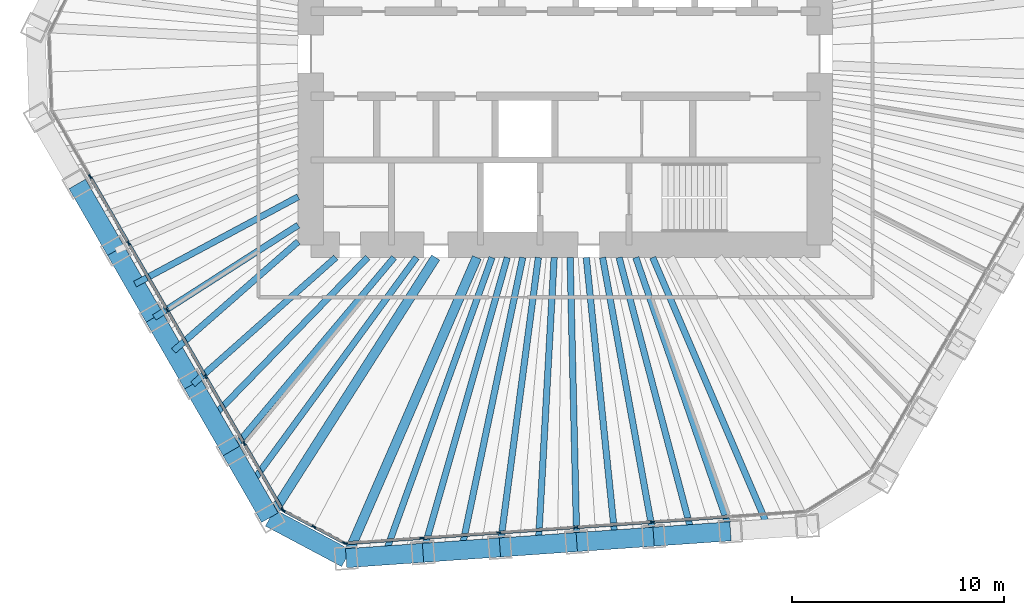
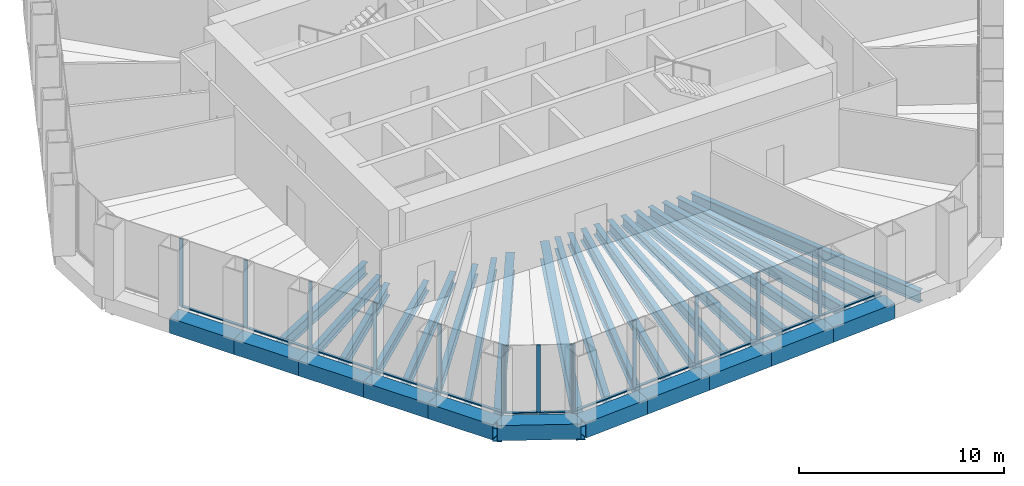
# One storey, part 2 of 13: 31 beams, 26 members, 3 elements without a shape of their own.
"""IFC4 building model written with IfcOpenShell, lengths in metres."""

from ifc_helpers import new_model, si_unit, direction, frame, origin, origin_2d, place, context, subcontext, project, spatial, rectangle, hollow_rectangle, i_section, extrude, material, material_profile, profile_set, type_object, element, aggregate, save


model = new_model("IFC4")

# Units and contexts
model_context = context("Model", 3, precision=1e-05, world=origin(), true_north=direction((0.0, 1.0)))
body_context = subcontext(model_context, "Body", "Model", "MODEL_VIEW")
ifc_project = project(units=[si_unit("LENGTHUNIT", "METRE"), si_unit("AREAUNIT", "SQUARE_METRE"), si_unit("VOLUMEUNIT", "CUBIC_METRE"), si_unit("PLANEANGLEUNIT", "RADIAN"), si_unit("MASSUNIT", "GRAM", prefix="KILO")], contexts=[model_context])

# Site, building, storey
site_placement = place(None, origin())
site = spatial("IfcSite", under=ifc_project, at=site_placement, CompositionType="ELEMENT")
building_placement = place(site_placement, origin())
building = spatial("IfcBuilding", under=site, at=building_placement, Name="Qingtian Harvest Tower", CompositionType="ELEMENT")
storey_placement = place(building_placement, frame((0.0, 0.0, 188.800048828125)))
storey = spatial("IfcBuildingStorey", under=building, at=storey_placement, Name="L40", CompositionType="ELEMENT", Elevation=188.800048828125)

# Beams
ifc_material_1 = material(Name="Steel SM570MC", Category="steel")
ifc_material_profile_1 = material_profile(ifc_material_1, i_section(OverallWidth=0.449951171875, OverallDepth=1.10009765625, WebThickness=0.02197265625, FlangeThickness=0.044921875, at=origin_2d()), Name="H1100x450x22x45")
ifc_profile_set_1 = profile_set([ifc_material_profile_1], Name="Steel SM570MC")
beam_type_1 = type_object("IfcBeamType", Name="Corner floor beam FB8 H1100x450x22x45", PredefinedType="BEAM", material=ifc_profile_set_1)
beam_1_placement = place(storey_placement, frame((-10.33837890625, -23.779052734375, -0.719970703125), z_axis=(0.398714563353, 0.917075077063, 0.0), x_axis=(-0.917075077063, 0.398714563353, 0.0)))
element("IfcBeam", 1, at=beam_1_placement, inside=storey, type_object=beam_type_1, Name="Floor beam FB8 S6", PredefinedType="BEAM", context=body_context, shape_type="SweptSolid", body=[
    extrude(i_section(OverallWidth=0.449951171875, OverallDepth=1.10009765625, WebThickness=0.02197265625, FlangeThickness=0.044921875, at=origin_2d()), origin(), (0.0, 0.0, 1.0), 15.461181640625),
])
beam_2_placement = place(storey_placement, frame((-13.9326171875, -21.8681640625, -0.719970703125), z_axis=(0.537326103898, 0.8433745657, 0.0), x_axis=(-0.8433745657, 0.537326103898, 0.0)))
element("IfcBeam", 2, at=beam_2_placement, inside=storey, type_object=beam_type_1, Name="Floor beam FB8 SW0", PredefinedType="BEAM", context=body_context, shape_type="SweptSolid", body=[
    extrude(i_section(OverallWidth=0.449951171875, OverallDepth=1.10009765625, WebThickness=0.02197265625, FlangeThickness=0.044921875, at=origin_2d()), origin(), (0.0, 0.0, 1.0), 14.54638671875),
])
ifc_material_2 = material(Name="Steel SN490B", Category="steel")
ifc_material_profile_2 = material_profile(ifc_material_2, i_section(OverallWidth=0.300048828125, OverallDepth=0.699951171875, WebThickness=0.012939453125, FlangeThickness=0.02392578125, at=origin_2d()), Name="H700x300x13x24")
ifc_profile_set_2 = profile_set([ifc_material_profile_2], Name="Steel SN490B")
beam_type_2 = type_object("IfcBeamType", Name="Floor beam FB2 H700x300x13x24", PredefinedType="BEAM", material=ifc_profile_set_2)
beam_3_placement = place(storey_placement, frame((-6.713623046875, -23.525634765625, -0.52001953125), z_axis=(0.274411610503, 0.961612327303, 0.0), x_axis=(-0.961612327303, 0.274411610503, 0.0)))
element("IfcBeam", 3, at=beam_3_placement, inside=storey, type_object=beam_type_2, Name="Floor beam FB2 S5", PredefinedType="BEAM", context=body_context, shape_type="SweptSolid", body=[
    extrude(i_section(OverallWidth=0.300048828125, OverallDepth=0.699951171875, WebThickness=0.012939453125, FlangeThickness=0.02392578125, at=origin_2d()), origin(), (0.0, 0.0, 1.0), 14.4814453125),
])
ifc_material_3 = material(Name="Steel SN490B", Category="steel")
ifc_material_profile_3 = material_profile(ifc_material_3, i_section(OverallWidth=0.300048828125, OverallDepth=0.60009765625, WebThickness=0.011962890625, FlangeThickness=0.02001953125, at=origin_2d()), Name="H600x300x12x20")
ifc_profile_set_3 = profile_set([ifc_material_profile_3], Name="Steel SN490B")
beam_type_3 = type_object("IfcBeamType", Name="Floor beam FB3 H600x300x12x20", PredefinedType="BEAM", material=ifc_profile_set_3)
beam_4_placement = place(storey_placement, frame((7.78515625, -22.51171875, -0.469970703125), z_axis=(-0.326844175409, 0.945078242793, 0.0), x_axis=(-0.945078242793, -0.326844175409, 0.0)))
element("IfcBeam", 4, at=beam_4_placement, inside=storey, type_object=beam_type_3, Name="Floor beam FB3 S1", PredefinedType="BEAM", context=body_context, shape_type="SweptSolid", body=[
    extrude(i_section(OverallWidth=0.300048828125, OverallDepth=0.60009765625, WebThickness=0.011962890625, FlangeThickness=0.02001953125, at=origin_2d()), origin(), (0.0, 0.0, 1.0), 13.661865234375),
])
beam_5_placement = place(storey_placement, frame((4.160400390625, -22.76513671875, -0.469970703125), z_axis=(-0.179779537209, 0.983706926885, 0.0), x_axis=(-0.983706926885, -0.179779537209, 0.0)))
element("IfcBeam", 5, at=beam_5_placement, inside=storey, type_object=beam_type_3, Name="Floor beam FB3 S2", PredefinedType="BEAM", context=body_context, shape_type="SweptSolid", body=[
    extrude(i_section(OverallWidth=0.300048828125, OverallDepth=0.60009765625, WebThickness=0.011962890625, FlangeThickness=0.02001953125, at=origin_2d()), origin(), (0.0, 0.0, 1.0), 13.383056640625),
])
beam_6_placement = place(storey_placement, frame((0.53564453125, -23.018798828125, -0.469970703125), z_axis=(-0.023263902078, 0.999729358807, 0.0), x_axis=(-0.999729358807, -0.023263902078, 0.0)))
element("IfcBeam", 6, at=beam_6_placement, inside=storey, type_object=beam_type_3, Name="Floor beam FB3 S3", PredefinedType="BEAM", context=body_context, shape_type="SweptSolid", body=[
    extrude(i_section(OverallWidth=0.300048828125, OverallDepth=0.60009765625, WebThickness=0.011962890625, FlangeThickness=0.02001953125, at=origin_2d()), origin(), (0.0, 0.0, 1.0), 13.42236328125),
])
beam_7_placement = place(storey_placement, frame((-3.089111328125, -23.272216796875, -0.469970703125), z_axis=(0.131593229442, 0.991303799027, 0.0), x_axis=(-0.991303799027, 0.131593229442, 0.0)))
element("IfcBeam", 7, at=beam_7_placement, inside=storey, type_object=beam_type_3, Name="Floor beam FB3 S4", PredefinedType="BEAM", context=body_context, shape_type="SweptSolid", body=[
    extrude(i_section(OverallWidth=0.300048828125, OverallDepth=0.60009765625, WebThickness=0.011962890625, FlangeThickness=0.02001953125, at=origin_2d()), origin(), (0.0, 0.0, 1.0), 13.7919921875),
])
beam_8_placement = place(storey_placement, frame((-15.749267578125, -18.72119140625, -0.469970703125), z_axis=(0.643763532906, 0.765224485821, 0.0), x_axis=(-0.765224485821, 0.643763532906, 0.0)))
element("IfcBeam", 8, at=beam_8_placement, inside=storey, type_object=beam_type_3, Name="Floor beam FB3 SW1", PredefinedType="BEAM", context=body_context, shape_type="SweptSolid", body=[
    extrude(i_section(OverallWidth=0.300048828125, OverallDepth=0.60009765625, WebThickness=0.011962890625, FlangeThickness=0.02001953125, at=origin_2d()), origin(), (0.0, 0.0, 1.0), 11.91943359375),
])
beam_9_placement = place(storey_placement, frame((-17.566162109375, -15.574462890625, -0.469970703125), z_axis=(0.748259768664, 0.663405847577, 0.0), x_axis=(-0.663405847577, 0.748259768664, 0.0)))
element("IfcBeam", 9, at=beam_9_placement, inside=storey, type_object=beam_type_3, Name="Floor beam FB3 SW2", PredefinedType="BEAM", context=body_context, shape_type="SweptSolid", body=[
    extrude(i_section(OverallWidth=0.300048828125, OverallDepth=0.60009765625, WebThickness=0.011962890625, FlangeThickness=0.02001953125, at=origin_2d()), origin(), (0.0, 0.0, 1.0), 9.005615234375),
])
beam_10_placement = place(storey_placement, frame((-19.3828125, -12.427734375, -0.469970703125), z_axis=(0.841823714388, 0.539752567288, 0.0), x_axis=(-0.539752567288, 0.841823714388, 0.0)))
element("IfcBeam", 10, at=beam_10_placement, inside=storey, type_object=beam_type_3, Name="Floor beam FB3 SW3", PredefinedType="BEAM", context=body_context, shape_type="SweptSolid", body=[
    extrude(i_section(OverallWidth=0.300048828125, OverallDepth=0.60009765625, WebThickness=0.011962890625, FlangeThickness=0.02001953125, at=origin_2d()), origin(), (0.0, 0.0, 1.0), 8.05712890625),
])
ifc_material_4 = material(Name="Steel SN490B", Category="steel")
ifc_material_profile_4 = material_profile(ifc_material_4, i_section(OverallWidth=0.300048828125, OverallDepth=0.699951171875, WebThickness=0.012939453125, FlangeThickness=0.02392578125, at=origin_2d()), Name="H700x300x13x24")
ifc_profile_set_4 = profile_set([ifc_material_profile_4], Name="Steel SN490B")
beam_type_4 = type_object("IfcBeamType", Name="Floor joist J2 H700x300x13x24", PredefinedType="JOIST", material=ifc_profile_set_4)
beam_11_placement = place(storey_placement, frame((9.597412109375, -22.385009765625, -0.52001953125), z_axis=(-0.394052741766, 0.919087828614, 0.0), x_axis=(-0.919087828614, -0.394052741766, 0.0)))
element("IfcBeam", 11, at=beam_11_placement, inside=storey, type_object=beam_type_4, Name="Floor joist J2 S0", PredefinedType="JOIST", context=body_context, shape_type="SweptSolid", body=[
    extrude(i_section(OverallWidth=0.300048828125, OverallDepth=0.699951171875, WebThickness=0.012939453125, FlangeThickness=0.02392578125, at=origin_2d()), origin(), (0.0, 0.0, 1.0), 13.910400390625),
])
beam_12_placement = place(storey_placement, frame((5.97265625, -22.638427734375, -0.52001953125), z_axis=(-0.255103716232, 0.9669136952, 0.0), x_axis=(-0.9669136952, -0.255103716232, 0.0)))
element("IfcBeam", 12, at=beam_12_placement, inside=storey, type_object=beam_type_4, Name="Floor joist J2 S1", PredefinedType="JOIST", context=body_context, shape_type="SweptSolid", body=[
    extrude(i_section(OverallWidth=0.300048828125, OverallDepth=0.699951171875, WebThickness=0.012939453125, FlangeThickness=0.02392578125, at=origin_2d()), origin(), (0.0, 0.0, 1.0), 13.484375),
])
beam_13_placement = place(storey_placement, frame((2.347900390625, -22.89208984375, -0.52001953125), z_axis=(-0.102028865499, 0.994781438611, 0.0), x_axis=(-0.994781438611, -0.102028865499, 0.0)))
element("IfcBeam", 13, at=beam_13_placement, inside=storey, type_object=beam_type_4, Name="Floor joist J2 S2", PredefinedType="JOIST", context=body_context, shape_type="SweptSolid", body=[
    extrude(i_section(OverallWidth=0.300048828125, OverallDepth=0.699951171875, WebThickness=0.012939453125, FlangeThickness=0.02392578125, at=origin_2d()), origin(), (0.0, 0.0, 1.0), 13.36181640625),
])
beam_14_placement = place(storey_placement, frame((-1.276611328125, -23.1455078125, -0.52001953125), z_axis=(0.055069329716, 0.998482533109, 0.0), x_axis=(-0.998482533109, 0.055069329716, 0.0)))
element("IfcBeam", 14, at=beam_14_placement, inside=storey, type_object=beam_type_4, Name="Floor joist J2 S3", PredefinedType="JOIST", context=body_context, shape_type="SweptSolid", body=[
    extrude(i_section(OverallWidth=0.300048828125, OverallDepth=0.699951171875, WebThickness=0.012939453125, FlangeThickness=0.02392578125, at=origin_2d()), origin(), (0.0, 0.0, 1.0), 13.56591796875),
])
beam_15_placement = place(storey_placement, frame((-4.9013671875, -23.39892578125, -0.52001953125), z_axis=(0.205016322093, 0.978758554331, 0.0), x_axis=(-0.978758554331, 0.205016322093, 0.0)))
element("IfcBeam", 15, at=beam_15_placement, inside=storey, type_object=beam_type_4, Name="Floor joist J2 S4", PredefinedType="JOIST", context=body_context, shape_type="SweptSolid", body=[
    extrude(i_section(OverallWidth=0.300048828125, OverallDepth=0.699951171875, WebThickness=0.012939453125, FlangeThickness=0.02392578125, at=origin_2d()), origin(), (0.0, 0.0, 1.0), 14.098388671875),
])
beam_16_placement = place(storey_placement, frame((-8.526123046875, -23.65234375, -0.52001953125), z_axis=(0.339126305921, 0.940740850943, 0.0), x_axis=(-0.940740850943, 0.339126305921, 0.0)))
element("IfcBeam", 16, at=beam_16_placement, inside=storey, type_object=beam_type_4, Name="Floor joist J2 S5", PredefinedType="JOIST", context=body_context, shape_type="SweptSolid", body=[
    extrude(i_section(OverallWidth=0.300048828125, OverallDepth=0.699951171875, WebThickness=0.012939453125, FlangeThickness=0.02392578125, at=origin_2d()), origin(), (0.0, 0.0, 1.0), 14.9375),
])
beam_17_placement = place(storey_placement, frame((-14.841064453125, -20.294677734375, -0.52001953125), z_axis=(0.590288677526, 0.807192218238, 0.0), x_axis=(-0.807192218238, 0.590288677526, 0.0)))
element("IfcBeam", 17, at=beam_17_placement, inside=storey, type_object=beam_type_4, Name="Floor joist J2 SW0", PredefinedType="JOIST", context=body_context, shape_type="SweptSolid", body=[
    extrude(i_section(OverallWidth=0.300048828125, OverallDepth=0.699951171875, WebThickness=0.012939453125, FlangeThickness=0.02392578125, at=origin_2d()), origin(), (0.0, 0.0, 1.0), 13.2490234375),
])
beam_18_placement = place(storey_placement, frame((-16.65771484375, -17.14794921875, -0.52001953125), z_axis=(0.696777499009, 0.717287332158, 0.0), x_axis=(-0.717287332158, 0.696777499009, 0.0)))
element("IfcBeam", 18, at=beam_18_placement, inside=storey, type_object=beam_type_4, Name="Floor joist J2 SW1", PredefinedType="JOIST", context=body_context, shape_type="SweptSolid", body=[
    extrude(i_section(OverallWidth=0.300048828125, OverallDepth=0.699951171875, WebThickness=0.012939453125, FlangeThickness=0.02392578125, at=origin_2d()), origin(), (0.0, 0.0, 1.0), 10.522705078125),
])
beam_19_placement = place(storey_placement, frame((-18.474609375, -14.001220703125, -0.52001953125), z_axis=(0.751883296969, 0.659296221542, 0.0), x_axis=(-0.659296221542, 0.751883296969, 0.0)))
element("IfcBeam", 19, at=beam_19_placement, inside=storey, type_object=beam_type_4, Name="Floor joist J2 SW2", PredefinedType="JOIST", context=body_context, shape_type="SweptSolid", body=[
    extrude(i_section(OverallWidth=0.300048828125, OverallDepth=0.699951171875, WebThickness=0.012939453125, FlangeThickness=0.02392578125, at=origin_2d()), origin(), (0.0, 0.0, 1.0), 7.81298828125),
])
beam_20_placement = place(storey_placement, frame((-20.291259765625, -10.8544921875, -0.52001953125), z_axis=(0.881766503154, 0.471686160402, 0.0), x_axis=(-0.471686160402, 0.881766503154, 0.0)))
element("IfcBeam", 20, at=beam_20_placement, inside=storey, type_object=beam_type_4, Name="Floor joist J2 SW3", PredefinedType="JOIST", context=body_context, shape_type="SweptSolid", body=[
    extrude(i_section(OverallWidth=0.300048828125, OverallDepth=0.699951171875, WebThickness=0.012939453125, FlangeThickness=0.02392578125, at=origin_2d()), origin(), (0.0, 0.0, 1.0), 8.722412109375),
])

# Curtain wall, members
ifc_material_5 = material(Name="Bronze-anodised aluminium curtain wall", Category="aluminium")
curtain_wall_type = type_object("IfcCurtainWallType", Name="Curtain wall CW4 office", PredefinedType="USERDEFINED", material=ifc_material_5)
curtain_wall_1_placement = place(storey_placement, origin())
curtain_wall_1 = element("IfcCurtainWall", 21, at=curtain_wall_1_placement, inside=storey, type_object=curtain_wall_type, Name="Curtain wall CW4 L40 S0-5", ObjectType="RECESSED CURTAIN WALL", PredefinedType="USERDEFINED")
ifc_material_6 = material(Name="Bronze-anodised aluminium mullion", Category="aluminium")
ifc_material_profile_5 = material_profile(ifc_material_6, rectangle(XDim=0.06494140625, YDim=0.199951171875, at=origin_2d()), Name="AL 65x200")
ifc_profile_set_5 = profile_set([ifc_material_profile_5], Name="Bronze-anodised aluminium mullion")
member_type_1 = type_object("IfcMemberType", Name="Mullion CWM 65x200", PredefinedType="MULLION", material=ifc_profile_set_5)
member_1_placement = place(storey_placement, frame((4.111572265625, -22.06689453125, 0.0), z_axis=(0.0, 0.0, 1.0), x_axis=(0.069756473744, -0.99756405026, 0.0)))
member_1 = element("IfcMember", 22, at=member_1_placement, type_object=member_type_1, Name="CW4 mullion 3", PredefinedType="MULLION", context=body_context, shape_type="SweptSolid", body=[
    extrude(rectangle(XDim=0.06494140625, YDim=0.199951171875, at=origin_2d()), origin(), (0.0, 0.0, 1.0), 4.030029296875),
])
member_2_placement = place(storey_placement, frame((0.48681640625, -22.3203125, 0.0), z_axis=(0.0, 0.0, 1.0), x_axis=(0.069756473744, -0.99756405026, 0.0)))
member_2 = element("IfcMember", 23, at=member_2_placement, type_object=member_type_1, Name="CW4 mullion 4", PredefinedType="MULLION", context=body_context, shape_type="SweptSolid", body=[
    extrude(rectangle(XDim=0.06494140625, YDim=0.199951171875, at=origin_2d()), origin(), (0.0, 0.0, 1.0), 4.030029296875),
])
member_3_placement = place(storey_placement, frame((-3.137939453125, -22.573974609375, 0.0), z_axis=(0.0, 0.0, 1.0), x_axis=(0.069756473744, -0.99756405026, 0.0)))
member_3 = element("IfcMember", 24, at=member_3_placement, type_object=member_type_1, Name="CW4 mullion 5", PredefinedType="MULLION", context=body_context, shape_type="SweptSolid", body=[
    extrude(rectangle(XDim=0.06494140625, YDim=0.199951171875, at=origin_2d()), origin(), (0.0, 0.0, 1.0), 4.030029296875),
])
member_4_placement = place(storey_placement, frame((-6.762451171875, -22.827392578125, 0.0), z_axis=(0.0, 0.0, 1.0), x_axis=(0.069756473744, -0.99756405026, 0.0)))
member_4 = element("IfcMember", 25, at=member_4_placement, type_object=member_type_1, Name="CW4 mullion 6", PredefinedType="MULLION", context=body_context, shape_type="SweptSolid", body=[
    extrude(rectangle(XDim=0.06494140625, YDim=0.199951171875, at=origin_2d()), origin(), (0.0, 0.0, 1.0), 4.030029296875),
])
member_5_placement = place(storey_placement, frame((-10.354736328125, -23.07861328125, 0.0), z_axis=(0.0, 0.0, 1.0), x_axis=(0.069756473744, -0.99756405026, 0.0)))
member_5 = element("IfcMember", 26, at=member_5_placement, type_object=member_type_1, Name="CW4 mullion 7", PredefinedType="MULLION", context=body_context, shape_type="SweptSolid", body=[
    extrude(rectangle(XDim=0.06494140625, YDim=0.199951171875, at=origin_2d()), origin(), (0.0, 0.0, 1.0), 4.030029296875),
])

curtain_wall_2_placement = place(storey_placement, origin())
curtain_wall_2 = element("IfcCurtainWall", 27, at=curtain_wall_2_placement, inside=storey, type_object=curtain_wall_type, Name="Curtain wall CW4 L40 SC", ObjectType="RECESSED CURTAIN WALL", PredefinedType="USERDEFINED")
member_6_placement = place(storey_placement, frame((-10.416015625, -23.0654296875, 0.0), z_axis=(0.0, 0.0, 1.0), x_axis=(-0.469471562786, -0.882947592859, 0.0)))
member_6 = element("IfcMember", 28, at=member_6_placement, type_object=member_type_1, Name="CW4 mullion 1", PredefinedType="MULLION", context=body_context, shape_type="SweptSolid", body=[
    extrude(rectangle(XDim=0.06494140625, YDim=0.199951171875, at=origin_2d()), origin(), (0.0, 0.0, 1.0), 4.030029296875),
])
member_7_placement = place(storey_placement, frame((-11.85693359375, -22.29931640625, 0.0), z_axis=(0.0, 0.0, 1.0), x_axis=(-0.469471562786, -0.882947592859, 0.0)))
member_7 = element("IfcMember", 29, at=member_7_placement, type_object=member_type_1, Name="CW4 mullion 2", PredefinedType="MULLION", context=body_context, shape_type="SweptSolid", body=[
    extrude(rectangle(XDim=0.06494140625, YDim=0.199951171875, at=origin_2d()), origin(), (0.0, 0.0, 1.0), 4.030029296875),
])
member_8_placement = place(storey_placement, frame((-13.297607421875, -21.533203125, 0.0), z_axis=(0.0, 0.0, 1.0), x_axis=(-0.469471562786, -0.882947592859, 0.0)))
member_8 = element("IfcMember", 30, at=member_8_placement, type_object=member_type_1, Name="CW4 mullion 3", PredefinedType="MULLION", context=body_context, shape_type="SweptSolid", body=[
    extrude(rectangle(XDim=0.06494140625, YDim=0.199951171875, at=origin_2d()), origin(), (0.0, 0.0, 1.0), 4.030029296875),
])

curtain_wall_3_placement = place(storey_placement, origin())
curtain_wall_3 = element("IfcCurtainWall", 31, at=curtain_wall_3_placement, inside=storey, type_object=curtain_wall_type, Name="Curtain wall CW4 L40 SW0-5", ObjectType="RECESSED CURTAIN WALL", PredefinedType="USERDEFINED")
member_9_placement = place(storey_placement, frame((-13.342529296875, -21.489990234375, 0.0), z_axis=(0.0, 0.0, 1.0), x_axis=(-0.866025403784, -0.5, 0.0)))
member_9 = element("IfcMember", 32, at=member_9_placement, type_object=member_type_1, Name="CW4 mullion 1", PredefinedType="MULLION", context=body_context, shape_type="SweptSolid", body=[
    extrude(rectangle(XDim=0.06494140625, YDim=0.199951171875, at=origin_2d()), origin(), (0.0, 0.0, 1.0), 4.030029296875),
])
member_10_placement = place(storey_placement, frame((-15.14306640625, -18.371337890625, 0.0), z_axis=(0.0, 0.0, 1.0), x_axis=(-0.866025403784, -0.5, 0.0)))
member_10 = element("IfcMember", 33, at=member_10_placement, type_object=member_type_1, Name="CW4 mullion 2", PredefinedType="MULLION", context=body_context, shape_type="SweptSolid", body=[
    extrude(rectangle(XDim=0.06494140625, YDim=0.199951171875, at=origin_2d()), origin(), (0.0, 0.0, 1.0), 4.030029296875),
])
member_11_placement = place(storey_placement, frame((-16.9599609375, -15.224609375, 0.0), z_axis=(0.0, 0.0, 1.0), x_axis=(-0.866025403784, -0.5, 0.0)))
member_11 = element("IfcMember", 34, at=member_11_placement, type_object=member_type_1, Name="CW4 mullion 3", PredefinedType="MULLION", context=body_context, shape_type="SweptSolid", body=[
    extrude(rectangle(XDim=0.06494140625, YDim=0.199951171875, at=origin_2d()), origin(), (0.0, 0.0, 1.0), 4.030029296875),
])
member_12_placement = place(storey_placement, frame((-18.776611328125, -12.077880859375, 0.0), z_axis=(0.0, 0.0, 1.0), x_axis=(-0.866025403784, -0.5, 0.0)))
member_12 = element("IfcMember", 35, at=member_12_placement, type_object=member_type_1, Name="CW4 mullion 4", PredefinedType="MULLION", context=body_context, shape_type="SweptSolid", body=[
    extrude(rectangle(XDim=0.06494140625, YDim=0.199951171875, at=origin_2d()), origin(), (0.0, 0.0, 1.0), 4.030029296875),
])
member_13_placement = place(storey_placement, frame((-20.593505859375, -8.93115234375, 0.0), z_axis=(0.0, 0.0, 1.0), x_axis=(-0.866025403784, -0.5, 0.0)))
member_13 = element("IfcMember", 36, at=member_13_placement, type_object=member_type_1, Name="CW4 mullion 5", PredefinedType="MULLION", context=body_context, shape_type="SweptSolid", body=[
    extrude(rectangle(XDim=0.06494140625, YDim=0.199951171875, at=origin_2d()), origin(), (0.0, 0.0, 1.0), 4.030029296875),
])
member_14_placement = place(storey_placement, frame((-22.41015625, -5.784423828125, 0.0), z_axis=(0.0, 0.0, 1.0), x_axis=(-0.866025403784, -0.5, 0.0)))
member_14 = element("IfcMember", 37, at=member_14_placement, type_object=member_type_1, Name="CW4 mullion 6", PredefinedType="MULLION", context=body_context, shape_type="SweptSolid", body=[
    extrude(rectangle(XDim=0.06494140625, YDim=0.199951171875, at=origin_2d()), origin(), (0.0, 0.0, 1.0), 4.030029296875),
])

# Beams
ifc_material_7 = material(Name="Steel SM570MC", Category="steel")
ifc_material_profile_6 = material_profile(ifc_material_7, hollow_rectangle(XDim=0.89990234375, YDim=0.89990234375, WallThickness=0.050048828125, at=origin_2d()), Name="BOX900x900x50")
ifc_profile_set_6 = profile_set([ifc_material_profile_6], Name="Steel SM570MC")
beam_type_5 = type_object("IfcBeamType", Name="Transition spandrel SB6 BOX900x900x50", PredefinedType="SPANDREL", material=ifc_profile_set_6)
for number, where, z_axis, x_axis, name in (
    (38, (7.78515625, -22.51171875, -0.449951171875), (-0.997565001055, -0.069742875402, 0.0), (0.069742875402, -0.997565001055, 0.0), "Spandrel SB6 S1"),
    (39, (4.160400390625, -22.76513671875, -0.449951171875), (-0.997560324246, -0.069809737785, 0.0), (0.069809737785, -0.997560324246, 0.0), "Spandrel SB6 S2"),
    (40, (0.53564453125, -23.018798828125, -0.449951171875), (-0.997565001055, -0.069742875402, 0.0), (0.069742875402, -0.997565001055, 0.0), "Spandrel SB6 S3"),
):
    element("IfcBeam", number, at=place(storey_placement, frame(where, z_axis=z_axis, x_axis=x_axis)), inside=storey, type_object=beam_type_5, Name=name, PredefinedType="SPANDREL", context=body_context, shape_type="SweptSolid", body=[
        extrude(hollow_rectangle(XDim=0.89990234375, YDim=0.89990234375, WallThickness=0.050048828125, at=origin_2d()), origin(), (0.0, 0.0, 1.0), 3.633544921875),
    ])
beam_21_placement = place(storey_placement, frame((-3.089111328125, -23.272216796875, -0.449951171875), z_axis=(-0.997564674207, -0.069747550305, 0.0), x_axis=(0.069747550305, -0.997564674207, 0.0)))
element("IfcBeam", 41, at=beam_21_placement, inside=storey, type_object=beam_type_5, Name="Spandrel SB6 S4", PredefinedType="SPANDREL", context=body_context, shape_type="SweptSolid", body=[
    extrude(hollow_rectangle(XDim=0.89990234375, YDim=0.89990234375, WallThickness=0.050048828125, at=origin_2d()), origin(), (0.0, 0.0, 1.0), 3.63330078125),
])
beam_22_placement = place(storey_placement, frame((-6.713623046875, -23.525634765625, -0.449951171875), z_axis=(-0.997565001055, -0.069742875402, 0.0), x_axis=(0.069742875402, -0.997565001055, 0.0)))
element("IfcBeam", 42, at=beam_22_placement, inside=storey, type_object=beam_type_5, Name="Spandrel SB6 S5", PredefinedType="SPANDREL", context=body_context, shape_type="SweptSolid", body=[
    extrude(hollow_rectangle(XDim=0.89990234375, YDim=0.89990234375, WallThickness=0.050048828125, at=origin_2d()), origin(), (0.0, 0.0, 1.0), 3.633544921875),
])
beam_23_placement = place(storey_placement, frame((-10.33837890625, -23.779052734375, -0.449951171875), z_axis=(-0.882968133669, 0.469432929101, 0.0), x_axis=(-0.469432929101, -0.882968133669, 0.0)))
element("IfcBeam", 43, at=beam_23_placement, inside=storey, type_object=beam_type_5, Name="Spandrel SB6 SC", PredefinedType="SPANDREL", context=body_context, shape_type="SweptSolid", body=[
    extrude(hollow_rectangle(XDim=0.89990234375, YDim=0.89990234375, WallThickness=0.050048828125, at=origin_2d()), origin(), (0.0, 0.0, 1.0), 4.070556640625),
])
beam_24_placement = place(storey_placement, frame((-13.9326171875, -21.8681640625, -0.449951171875), z_axis=(-0.499947341849, 0.866055803848, 0.0), x_axis=(-0.866055803848, -0.499947341849, 0.0)))
element("IfcBeam", 44, at=beam_24_placement, inside=storey, type_object=beam_type_5, Name="Spandrel SB6 SW0", PredefinedType="SPANDREL", context=body_context, shape_type="SweptSolid", body=[
    extrude(hollow_rectangle(XDim=0.89990234375, YDim=0.89990234375, WallThickness=0.050048828125, at=origin_2d()), origin(), (0.0, 0.0, 1.0), 3.6337890625),
])
for number, where, z_axis, x_axis, name in (
    (45, (-15.749267578125, -18.72119140625, -0.449951171875), (-0.500026827678, 0.866009914263, 0.0), (-0.866009914263, -0.500026827678, 0.0), "Spandrel SB6 SW1"),
    (46, (-17.566162109375, -15.574462890625, -0.449951171875), (-0.499976434558, 0.866039008871, 0.0), (-0.866039008871, -0.499976434558, 0.0), "Spandrel SB6 SW2"),
    (47, (-19.3828125, -12.427734375, -0.449951171875), (-0.500026827678, 0.866009914263, 0.0), (-0.866009914263, -0.500026827678, 0.0), "Spandrel SB6 SW3"),
    (48, (-21.19970703125, -9.281005859375, -0.449951171875), (-0.499976434558, 0.866039008871, 0.0), (-0.866039008871, -0.499976434558, 0.0), "Spandrel SB6 SW4"),
):
    element("IfcBeam", number, at=place(storey_placement, frame(where, z_axis=z_axis, x_axis=x_axis)), inside=storey, type_object=beam_type_5, Name=name, PredefinedType="SPANDREL", context=body_context, shape_type="SweptSolid", body=[
        extrude(hollow_rectangle(XDim=0.89990234375, YDim=0.89990234375, WallThickness=0.050048828125, at=origin_2d()), origin(), (0.0, 0.0, 1.0), 3.633544921875),
    ])

# Member
ifc_material_8 = material(Name="Bronze-anodised aluminium transom", Category="aluminium")
ifc_material_profile_7 = material_profile(ifc_material_8, rectangle(XDim=0.14990234375, YDim=0.06494140625, at=origin_2d()), Name="AL 65x150")
ifc_profile_set_7 = profile_set([ifc_material_profile_7], Name="Bronze-anodised aluminium transom")
member_type_2 = type_object("IfcMemberType", Name="Transom CWT 65x150", PredefinedType="USERDEFINED", material=ifc_profile_set_7)
member_15_placement = place(storey_placement, frame((7.703857421875, -21.815673828125, 0.032470703125), z_axis=(-0.997562159126, -0.069783512949, 0.0), x_axis=(0.069783512949, -0.997562159126, 0.0)))
member_15 = element("IfcMember", 49, at=member_15_placement, type_object=member_type_2, Name="CW4 transom 2.1", ObjectType="TRANSOM", PredefinedType="USERDEFINED", context=body_context, shape_type="SweptSolid", body=[
    extrude(rectangle(XDim=0.14990234375, YDim=0.06494140625, at=origin_2d()), origin(), (0.0, 0.0, 1.0), 3.568603515625),
])

member_16_placement = place(storey_placement, frame((4.0791015625, -22.0693359375, 0.032470703125), z_axis=(-0.99756691944, -0.069715430417, 0.0), x_axis=(0.069715430417, -0.99756691944, 0.0)))
member_16 = element("IfcMember", 50, at=member_16_placement, type_object=member_type_2, Name="CW4 transom 3.1", ObjectType="TRANSOM", PredefinedType="USERDEFINED", context=body_context, shape_type="SweptSolid", body=[
    extrude(rectangle(XDim=0.14990234375, YDim=0.06494140625, at=origin_2d()), origin(), (0.0, 0.0, 1.0), 3.568603515625),
])

member_17_placement = place(storey_placement, frame((0.454345703125, -22.32275390625, 0.032470703125), z_axis=(-0.99756691944, -0.069715430417, 0.0), x_axis=(0.069715430417, -0.99756691944, 0.0)))
member_17 = element("IfcMember", 51, at=member_17_placement, type_object=member_type_2, Name="CW4 transom 4.1", ObjectType="TRANSOM", PredefinedType="USERDEFINED", context=body_context, shape_type="SweptSolid", body=[
    extrude(rectangle(XDim=0.14990234375, YDim=0.06494140625, at=origin_2d()), origin(), (0.0, 0.0, 1.0), 3.568603515625),
])

member_18_placement = place(storey_placement, frame((-3.170166015625, -22.576171875, 0.032470703125), z_axis=(-0.997567251922, -0.069710672727, 0.0), x_axis=(0.069710672727, -0.997567251922, 0.0)))
member_18 = element("IfcMember", 52, at=member_18_placement, type_object=member_type_2, Name="CW4 transom 5.1", ObjectType="TRANSOM", PredefinedType="USERDEFINED", context=body_context, shape_type="SweptSolid", body=[
    extrude(rectangle(XDim=0.14990234375, YDim=0.06494140625, at=origin_2d()), origin(), (0.0, 0.0, 1.0), 3.56884765625),
])

member_19_placement = place(storey_placement, frame((-6.794921875, -22.82958984375, 0.032470703125), z_axis=(-0.997565839557, -0.069730880888, 0.0), x_axis=(0.069730880888, -0.997565839557, 0.0)))
member_19 = element("IfcMember", 53, at=member_19_placement, type_object=member_type_2, Name="CW4 transom 6.1", ObjectType="TRANSOM", PredefinedType="USERDEFINED", context=body_context, shape_type="SweptSolid", body=[
    extrude(rectangle(XDim=0.14990234375, YDim=0.06494140625, at=origin_2d()), origin(), (0.0, 0.0, 1.0), 3.5361328125),
])

aggregate(curtain_wall_1, [member_1, member_2, member_3, member_4, member_5, member_15, member_16, member_17, member_18, member_19])

member_20_placement = place(storey_placement, frame((-10.444580078125, -23.05029296875, 0.032470703125), z_axis=(-0.882960338349, 0.46944759122, 0.0), x_axis=(-0.46944759122, -0.882960338349, 0.0)))
member_20 = element("IfcMember", 54, at=member_20_placement, type_object=member_type_2, Name="CW4 transom 1.1", ObjectType="TRANSOM", PredefinedType="USERDEFINED", context=body_context, shape_type="SweptSolid", body=[
    extrude(rectangle(XDim=0.14990234375, YDim=0.06494140625, at=origin_2d()), origin(), (0.0, 0.0, 1.0), 1.56689453125),
])

member_21_placement = place(storey_placement, frame((-11.885498046875, -22.2841796875, 0.032470703125), z_axis=(-0.882960338349, 0.46944759122, 0.0), x_axis=(-0.46944759122, -0.882960338349, 0.0)))
member_21 = element("IfcMember", 55, at=member_21_placement, type_object=member_type_2, Name="CW4 transom 2.1", ObjectType="TRANSOM", PredefinedType="USERDEFINED", context=body_context, shape_type="SweptSolid", body=[
    extrude(rectangle(XDim=0.14990234375, YDim=0.06494140625, at=origin_2d()), origin(), (0.0, 0.0, 1.0), 1.56689453125),
])

aggregate(curtain_wall_2, [member_6, member_7, member_8, member_20, member_21])

member_22_placement = place(storey_placement, frame((-13.35888671875, -21.461669921875, 0.032470703125), z_axis=(-0.500015305566, 0.866016566931, 0.0), x_axis=(-0.866016566931, -0.500015305566, 0.0)))
member_22 = element("IfcMember", 56, at=member_22_placement, type_object=member_type_2, Name="CW4 transom 1.1", ObjectType="TRANSOM", PredefinedType="USERDEFINED", context=body_context, shape_type="SweptSolid", body=[
    extrude(rectangle(XDim=0.14990234375, YDim=0.06494140625, at=origin_2d()), origin(), (0.0, 0.0, 1.0), 3.5361328125),
])

member_23_placement = place(storey_placement, frame((-15.159423828125, -18.34326171875, 0.032470703125), z_axis=(-0.499965259726, 0.866045460162, 0.0), x_axis=(-0.866045460162, -0.499965259726, 0.0)))
member_23 = element("IfcMember", 57, at=member_23_placement, type_object=member_type_2, Name="CW4 transom 2.1", ObjectType="TRANSOM", PredefinedType="USERDEFINED", context=body_context, shape_type="SweptSolid", body=[
    extrude(rectangle(XDim=0.14990234375, YDim=0.06494140625, at=origin_2d()), origin(), (0.0, 0.0, 1.0), 3.568603515625),
])

member_24_placement = place(storey_placement, frame((-16.97607421875, -15.1962890625, 0.032470703125), z_axis=(-0.500046194516, 0.865998731726, 0.0), x_axis=(-0.865998731726, -0.500046194516, 0.0)))
member_24 = element("IfcMember", 58, at=member_24_placement, type_object=member_type_2, Name="CW4 transom 3.1", ObjectType="TRANSOM", PredefinedType="USERDEFINED", context=body_context, shape_type="SweptSolid", body=[
    extrude(rectangle(XDim=0.14990234375, YDim=0.06494140625, at=origin_2d()), origin(), (0.0, 0.0, 1.0), 3.568603515625),
])

member_25_placement = place(storey_placement, frame((-18.79296875, -12.049560546875, 0.032470703125), z_axis=(-0.499994883695, 0.866028357664, 0.0), x_axis=(-0.866028357664, -0.499994883695, 0.0)))
member_25 = element("IfcMember", 59, at=member_25_placement, type_object=member_type_2, Name="CW4 transom 4.1", ObjectType="TRANSOM", PredefinedType="USERDEFINED", context=body_context, shape_type="SweptSolid", body=[
    extrude(rectangle(XDim=0.14990234375, YDim=0.06494140625, at=origin_2d()), origin(), (0.0, 0.0, 1.0), 3.568359375),
])

member_26_placement = place(storey_placement, frame((-20.609619140625, -8.90283203125, 0.032470703125), z_axis=(-0.500046194516, 0.865998731726, 0.0), x_axis=(-0.865998731726, -0.500046194516, 0.0)))
member_26 = element("IfcMember", 60, at=member_26_placement, type_object=member_type_2, Name="CW4 transom 5.1", ObjectType="TRANSOM", PredefinedType="USERDEFINED", context=body_context, shape_type="SweptSolid", body=[
    extrude(rectangle(XDim=0.14990234375, YDim=0.06494140625, at=origin_2d()), origin(), (0.0, 0.0, 1.0), 3.568603515625),
])

aggregate(curtain_wall_3, [member_9, member_10, member_11, member_12, member_13, member_14, member_22, member_23, member_24, member_25, member_26])

save(model, "model.ifc")
